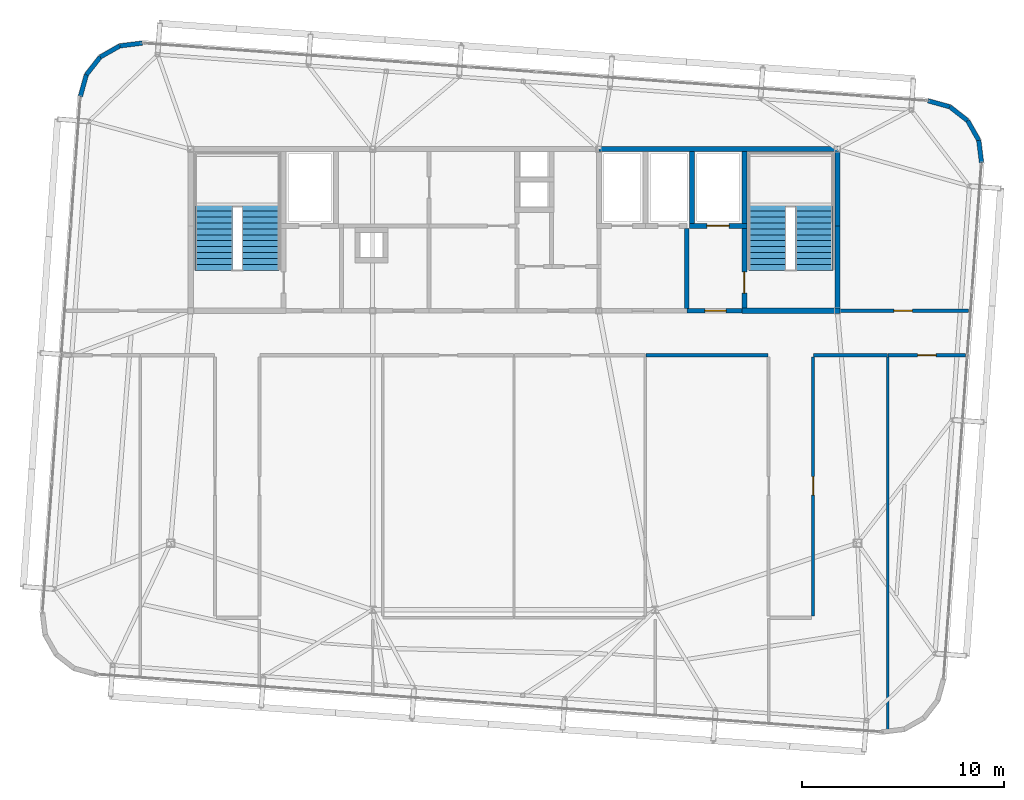
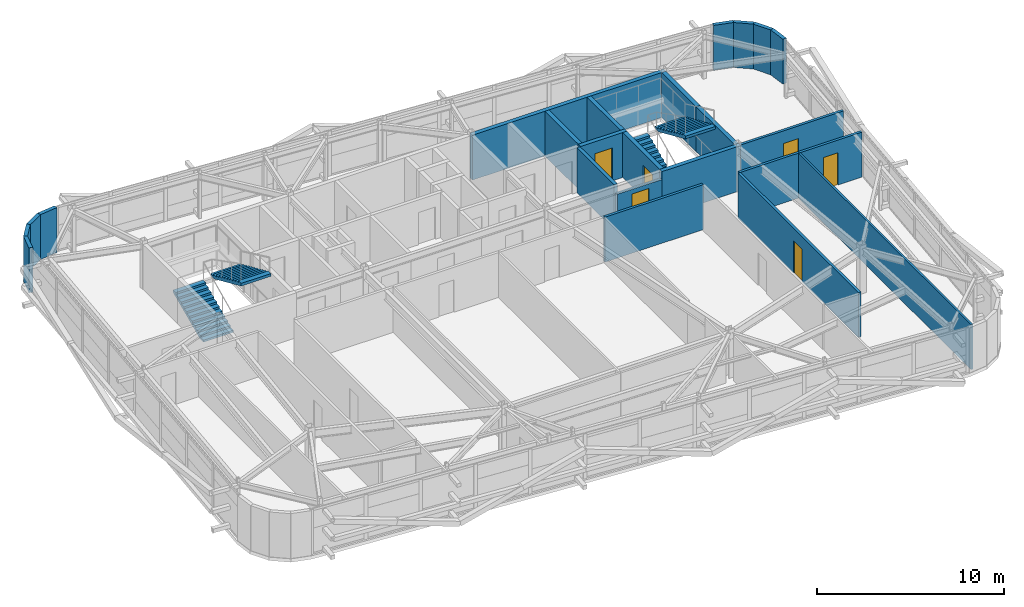
# One storey, part 40 of 42: 24 walls, 6 doors, 4 stair flights, 6 openings, 2 elements without a shape of their own.
"""IFC4 building model written with IfcOpenShell, lengths in metres."""

from ifc_helpers import new_model, si_unit, direction, frame, frame_2d, origin, place, context, subcontext, project, spatial, polyline, rectangle, outline, extrude, source, transform, mapped, material, layer, layer_set, type_object, element, fill, aggregate, save


model = new_model("IFC4")

# Units and contexts
model_context = context("Model", 3, precision=1e-05, world=origin(), true_north=direction((0.0, 1.0)))
body_context = subcontext(model_context, "Body", "Model", "MODEL_VIEW")
ifc_project = project(units=[si_unit("LENGTHUNIT", "METRE"), si_unit("AREAUNIT", "SQUARE_METRE"), si_unit("VOLUMEUNIT", "CUBIC_METRE"), si_unit("PLANEANGLEUNIT", "RADIAN"), si_unit("MASSUNIT", "GRAM", prefix="KILO")], contexts=[model_context])

# Site, building, storey
site_placement = place(None, origin())
site = spatial("IfcSite", under=ifc_project, at=site_placement, CompositionType="ELEMENT")
building_placement = place(site_placement, origin())
building = spatial("IfcBuilding", under=site, at=building_placement, Name="Taldren Reach Tower", CompositionType="ELEMENT")
storey_placement = place(building_placement, frame((0.0, 0.0, 214.550048828125)))
storey = spatial("IfcBuildingStorey", under=building, at=storey_placement, Name="L65", CompositionType="ELEMENT", Elevation=214.550048828125)

# Walls
ifc_material_1 = material(Name="Pale Champagne Anodised Aluminium Cladding", Category="aluminium")
ifc_layer_1 = layer(ifc_material_1, 0.04, Name="Pale Champagne Anodised Aluminium Cladding", Category="aluminium")
ifc_material_2 = material(Name="Mineral Wool Acoustic Insulation", Category="insulation")
ifc_layer_2 = layer(ifc_material_2, 0.06, Name="Mineral Wool Acoustic Insulation", Category="insulation")
ifc_material_3 = material(Name="Steel Gr 350 (C350L0)", Category="steel")
ifc_layer_3 = layer(ifc_material_3, 0.12, Name="Steel Gr 350 (C350L0)", Category="steel")
ifc_layer_set_1 = layer_set([ifc_layer_1, ifc_layer_2, ifc_layer_3], Name="Pale Champagne Aluminium Cladding and Steel Gr 350 Stud Framing")
wall_type_1 = type_object("IfcWallType", Name="EW-CRN-220", PredefinedType="SOLIDWALL", material=ifc_layer_set_1)
shared_shape_1 = source(origin(), body_context, "Body", "SweptSolid", [
    extrude(rectangle(XDim=1.115966796875, YDim=0.219970703125, at=frame_2d((0.55810546875, 0.0))), origin(), (0.0, 0.0, 1.0), 2.929931640625),
])
for number, where, z_axis, x_axis, name in (
    (1, (58.137451171875, 31.328125, 0.0), (0.0, 0.0, 1.0), (-0.122742076028, 0.992438604032, 0.0), "Rounded-corner pale-metal facade wall L65-NE1"),
    (2, (57.4501953125, 33.40625, 0.0), (0.0, 0.0, 1.0), (-0.788597772321, 0.614909386406, 0.0), "Rounded-corner pale-metal facade wall L65-NE3"),
    (3, (14.52099609375, 36.558837890625, 0.0), (0.0, 0.0, 1.0), (-0.614909386406, -0.788597772321, 0.0), "Rounded-corner pale-metal facade wall L65-NW3"),
):
    element("IfcWall", number, at=place(storey_placement, frame(where, z_axis=z_axis, x_axis=x_axis)), inside=storey, type_object=wall_type_1, Name=name, PredefinedType="SOLIDWALL", context=body_context, shape_type="MappedRepresentation", body=[
        mapped(shared_shape_1, transform((0.0, 0.0, 0.0), scale=1.0)),
    ])
shared_shape_2 = source(origin(), body_context, "Body", "SweptSolid", [
    extrude(rectangle(XDim=1.11572265625, YDim=0.219970703125, at=frame_2d((0.557861328125, 0.0))), origin(), (0.0, 0.0, 1.0), 2.929931640625),
])
for number, where, z_axis, x_axis, name in (
    (4, (58.00048828125, 32.435546875, 0.0), (0.0, 0.0, 1.0), (-0.493167138628, 0.869934579941, 0.0), "Rounded-corner pale-metal facade wall L65-NE2"),
    (5, (56.570068359375, 34.092529296875, 0.0), (0.0, 0.0, 1.0), (-0.963833843713, 0.266503886865, 0.0), "Rounded-corner pale-metal facade wall L65-NE4"),
    (6, (15.49169921875, 37.109130859375, 0.0), (0.0, 0.0, 1.0), (-0.869934579941, -0.493167138628, 0.0), "Rounded-corner pale-metal facade wall L65-NW2"),
    (7, (13.834716796875, 35.6787109375, 0.0), (0.0, 0.0, 1.0), (-0.266300605026, -0.963890028874, 0.0), "Rounded-corner pale-metal facade wall L65-NW4"),
):
    element("IfcWall", number, at=place(storey_placement, frame(where, z_axis=z_axis, x_axis=x_axis)), inside=storey, type_object=wall_type_1, Name=name, PredefinedType="SOLIDWALL", context=body_context, shape_type="MappedRepresentation", body=[
        mapped(shared_shape_2, transform((0.0, 0.0, 0.0), scale=1.0)),
    ])
shared_shape_3 = source(origin(), body_context, "Body", "SweptSolid", [
    extrude(rectangle(XDim=1.1162109375, YDim=0.219970703125, at=frame_2d((0.55810546875, 0.0))), origin(), (0.0, 0.0, 1.0), 2.929931640625),
])
wall_1_placement = place(storey_placement, frame((16.599365234375, 37.24609375, 0.0), z_axis=(0.0, 0.0, 1.0), x_axis=(-0.992441899189, -0.122715429897, 0.0)))
element("IfcWall", 8, at=wall_1_placement, inside=storey, type_object=wall_type_1, Name="Rounded-corner pale-metal facade wall L65-NW1", PredefinedType="SOLIDWALL", context=body_context, shape_type="MappedRepresentation", body=[
    mapped(shared_shape_3, transform((0.0, 0.0, 0.0), scale=1.0)),
])
ifc_material_4 = material(Name="Fire-Rated Acoustic Plasterboard Stud Wall", Category="gypsum")
ifc_layer_4 = layer(ifc_material_4, 0.159912109375)
ifc_layer_set_2 = layer_set([ifc_layer_4], Name="Fire-Rated Acoustic Plasterboard Stud Wall")
wall_type_2 = type_object("IfcWallType", Name="IW-FIRE-160", PredefinedType="PARTITIONING", material=ifc_layer_set_2)
shared_shape_4 = source(origin(), body_context, "Body", "SweptSolid", [
    extrude(rectangle(XDim=6.0595703125, YDim=0.159912109375, at=frame_2d((3.02978515625, 0.0))), origin(), (0.0, 0.0, 1.0), 2.929931640625),
])
wall_2_placement = place(storey_placement, frame((47.579833984375, 21.800048828125, 0.0), z_axis=(0.0, 0.0, 1.0), x_axis=(-1.0, 0.0, 0.0)))
element("IfcWall", 9, at=wall_2_placement, inside=storey, type_object=wall_type_2, Name="Interior Partition Wall W-INT-L65-056", PredefinedType="PARTITIONING", context=body_context, shape_type="MappedRepresentation", body=[
    mapped(shared_shape_4, transform((0.0, 0.0, 0.0), scale=1.0)),
])
ifc_material_5 = material(Name="Concrete S65 (65 MPa)", Category="concrete")
ifc_layer_5 = layer(ifc_material_5, 0.25)
ifc_layer_set_3 = layer_set([ifc_layer_5], Name="Concrete S65 (65 MPa)")
wall_type_3 = type_object("IfcWallType", Name="IW-CORE-250", PredefinedType="SHEAR", material=ifc_layer_set_3)
shared_shape_5 = source(origin(), body_context, "Body", "SweptSolid", [
    extrude(rectangle(XDim=11.925048828125, YDim=0.25, at=frame_2d((5.96240234375, 0.0))), origin(), (0.0, 0.0, 1.0), 2.929931640625),
])
wall_3_placement = place(storey_placement, frame((39.199951171875, 32.0, 0.0), z_axis=(0.0, 0.0, 1.0), x_axis=(1.0, 0.0, 0.0)))
element("IfcWall", 10, at=wall_3_placement, inside=storey, type_object=wall_type_3, Name="Rear Core Shear Wall W-CORE-L65-NORTH3", PredefinedType="SHEAR", context=body_context, shape_type="MappedRepresentation", body=[
    mapped(shared_shape_5, transform((0.0, 0.0, 0.0), scale=1.0)),
])
shared_shape_6 = source(origin(), body_context, "Body", "SweptSolid", [
    extrude(rectangle(XDim=4.074951171875, YDim=0.25, at=frame_2d((2.03759765625, 0.0))), origin(), (0.0, 0.0, 1.0), 2.929931640625),
])
wall_4_placement = place(storey_placement, frame((51.0, 24.125, 0.0), z_axis=(0.0, 0.0, 1.0), x_axis=(0.0, 1.0, 0.0)))
element("IfcWall", 11, at=wall_4_placement, inside=storey, type_object=wall_type_3, Name="Rear Core Shear Wall W-CORE-L65-EAST1", PredefinedType="SHEAR", context=body_context, shape_type="MappedRepresentation", body=[
    mapped(shared_shape_6, transform((0.0, 0.0, 0.0), scale=1.0)),
])
shared_shape_7 = source(origin(), body_context, "Body", "SweptSolid", [
    extrude(rectangle(XDim=3.675048828125, YDim=0.25, at=frame_2d((1.83740234375, 0.0))), origin(), (0.0, 0.0, 1.0), 2.929931640625),
])
wall_5_placement = place(storey_placement, frame((51.0, 28.199951171875, 0.0), z_axis=(0.0, 0.0, 1.0), x_axis=(0.0, 1.0, 0.0)))
element("IfcWall", 12, at=wall_5_placement, inside=storey, type_object=wall_type_3, Name="Rear Core Shear Wall W-CORE-L65-EAST2", PredefinedType="SHEAR", context=body_context, shape_type="MappedRepresentation", body=[
    mapped(shared_shape_7, transform((0.0, 0.0, 0.0), scale=1.0)),
])
shared_shape_8 = source(origin(), body_context, "Body", "SweptSolid", [
    extrude(rectangle(XDim=3.550048828125, YDim=0.25, at=frame_2d((1.77490234375, 0.0))), origin(), (0.0, 0.0, 1.0), 2.929931640625),
])
for number, where, z_axis, x_axis, name in (
    (13, (46.39990234375, 31.875, 0.0), (0.0, 0.0, 1.0), (0.0, -1.0, 0.0), "Rear Core Shear Wall W-INT-L65-008"),
    (14, (43.800048828125, 31.875, 0.0), (0.0, 0.0, 1.0), (0.0, -1.0, 0.0), "Rear Core Shear Wall W-INT-L65-012"),
):
    element("IfcWall", number, at=place(storey_placement, frame(where, z_axis=z_axis, x_axis=x_axis)), inside=storey, type_object=wall_type_3, Name=name, PredefinedType="SHEAR", context=body_context, shape_type="MappedRepresentation", body=[
        mapped(shared_shape_8, transform((0.0, 0.0, 0.0), scale=1.0)),
    ])

# Wall, opening, door
shared_shape_9 = source(origin(), body_context, "Body", "SweptSolid", [
    extrude(rectangle(XDim=3.949951171875, YDim=0.25, at=frame_2d((1.97509765625, 0.0))), origin(), (0.0, 0.0, 1.0), 2.929931640625),
])
wall_6_placement = place(storey_placement, frame((46.39990234375, 28.074951171875, 0.0), z_axis=(0.0, 0.0, 1.0), x_axis=(0.0, -1.0, 0.0)))
wall_6 = element("IfcWall", 15, at=wall_6_placement, inside=storey, type_object=wall_type_3, Name="Rear Core Shear Wall W-INT-L65-009", PredefinedType="SHEAR", context=body_context, shape_type="MappedRepresentation", body=[
    mapped(shared_shape_9, transform((0.0, 0.0, 0.0), scale=1.0)),
])
shared_shape_10 = source(origin(), body_context, "Body", "SweptSolid", [
    extrude(rectangle(XDim=1.050048828125, YDim=2.10009765625, at=frame_2d((0.52490234375, 1.050048828125))), frame((0.0, 0.135009765625, 0.0), z_axis=(0.0, -1.0, 0.0), x_axis=(1.0, 0.0, 0.0)), (0.0, 0.0, 1.0), 0.27001953125),
])
opening_1_placement = place(wall_6_placement, frame((2.14990234375, 0.0, 0.0)))
opening_1 = element("IfcOpeningElement", 16, at=opening_1_placement, cuts=wall_6, Name="Opening DF-105", PredefinedType="OPENING", context=body_context, shape_type="MappedRepresentation", body=[
    mapped(shared_shape_10, transform((0.0, 0.0, 0.0), scale=1.0)),
])
ifc_material_6 = material(Name="Fire-Rated Care and Stair Exit Door")
door_type_1 = type_object("IfcDoorType", Name="ID-FIRE-105", OperationType="NOTDEFINED", PredefinedType="DOOR", material=ifc_material_6)
shared_shape_11 = source(origin(), body_context, "Body", "SweptSolid", [
    extrude(rectangle(XDim=1.050048828125, YDim=2.10009765625, at=frame_2d((0.52490234375, 1.050048828125))), frame((0.0, 0.02490234375, 0.0), z_axis=(0.0, -1.0, 0.0), x_axis=(1.0, 0.0, 0.0)), (0.0, 0.0, 1.0), 0.050048828125),
])
door_1_placement = place(opening_1_placement, origin())
door_1 = element("IfcDoor", 17, at=door_1_placement, inside=storey, type_object=door_type_1, Name="Fire Exit Stair Door DR-L65-003", OperationType="SINGLE_SWING_RIGHT", OverallHeight=2.10009765625, OverallWidth=1.050048828125, PredefinedType="DOOR", context=body_context, shape_type="MappedRepresentation", body=[
    mapped(shared_shape_11, transform((0.0, 0.0, 0.0), scale=1.0)),
])
fill(opening_1, door_1)

# Wall
shared_shape_12 = source(origin(), body_context, "Body", "SweptSolid", [
    extrude(rectangle(XDim=4.85009765625, YDim=0.25, at=frame_2d((2.425048828125, 0.0))), origin(), (0.0, 0.0, 1.0), 2.929931640625),
])
wall_7_placement = place(storey_placement, frame((46.27490234375, 24.0, 0.0), z_axis=(0.0, 0.0, 1.0), x_axis=(1.0, 0.0, 0.0)))
element("IfcWall", 18, at=wall_7_placement, inside=storey, type_object=wall_type_3, Name="Rear Core Shear Wall W-INT-L65-010", PredefinedType="SHEAR", context=body_context, shape_type="MappedRepresentation", body=[
    mapped(shared_shape_12, transform((0.0, 0.0, 0.0), scale=1.0)),
])

# Wall, opening, door
shared_shape_13 = source(origin(), body_context, "Body", "SweptSolid", [
    extrude(rectangle(XDim=2.849853515625, YDim=0.25, at=frame_2d((1.4248046875, 0.0))), origin(), (0.0, 0.0, 1.0), 2.929931640625),
])
wall_8_placement = place(storey_placement, frame((43.675048828125, 28.199951171875, 0.0), z_axis=(0.0, 0.0, 1.0), x_axis=(1.0, 0.0, 0.0)))
wall_8 = element("IfcWall", 19, at=wall_8_placement, inside=storey, type_object=wall_type_3, Name="Rear Core Shear Wall W-INT-L65-011", PredefinedType="SHEAR", context=body_context, shape_type="MappedRepresentation", body=[
    mapped(shared_shape_13, transform((0.0, 0.0, 0.0), scale=1.0)),
])
shared_shape_14 = source(origin(), body_context, "Body", "SweptSolid", [
    extrude(rectangle(XDim=1.10009765625, YDim=2.14990234375, at=frame_2d((0.550048828125, 1.074951171875))), frame((0.0, 0.135009765625, 0.0), z_axis=(0.0, -1.0, 0.0), x_axis=(1.0, 0.0, 0.0)), (0.0, 0.0, 1.0), 0.27001953125),
])
opening_2_placement = place(wall_8_placement, frame((0.875, 0.0, 0.0)))
opening_2 = element("IfcOpeningElement", 20, at=opening_2_placement, cuts=wall_8, Name="Opening LD-FL2", PredefinedType="OPENING", context=body_context, shape_type="MappedRepresentation", body=[
    mapped(shared_shape_14, transform((0.0, 0.0, 0.0), scale=1.0)),
])
ifc_material_7 = material(Name="Stainless Steel Gr 316 Emergency Lift Landing Door", Category="steel")
door_type_2 = type_object("IfcDoorType", Name="LD-EMG-110", OperationType="SLIDING_TO_LEFT", PredefinedType="DOOR", material=ifc_material_7)
shared_shape_15 = source(origin(), body_context, "Body", "SweptSolid", [
    extrude(rectangle(XDim=1.10009765625, YDim=2.14990234375, at=frame_2d((0.550048828125, 1.074951171875))), frame((0.0, 0.02490234375, 0.0), z_axis=(0.0, -1.0, 0.0), x_axis=(1.0, 0.0, 0.0)), (0.0, 0.0, 1.0), 0.050048828125),
])
door_2_placement = place(opening_2_placement, origin())
door_2 = element("IfcDoor", 21, at=door_2_placement, inside=storey, type_object=door_type_2, Name="Lift Landing Door LD-FL2-L65", OperationType="SLIDING_TO_LEFT", OverallHeight=2.14990234375, OverallWidth=1.10009765625, PredefinedType="DOOR", context=body_context, shape_type="MappedRepresentation", body=[
    mapped(shared_shape_15, transform((0.0, 0.0, 0.0), scale=1.0)),
])
fill(opening_2, door_2)

# Wall
ifc_material_8 = material(Name="Concrete S50 (50 MPa)", Category="concrete")
ifc_layer_6 = layer(ifc_material_8, 0.199951171875)
ifc_layer_set_4 = layer_set([ifc_layer_6], Name="Concrete S50 (50 MPa)")
wall_type_4 = type_object("IfcWallType", Name="IW-CORE-200", PredefinedType="SOLIDWALL", material=ifc_layer_set_4)
shared_shape_16 = source(origin(), body_context, "Body", "SweptSolid", [
    extrude(rectangle(XDim=3.974853515625, YDim=0.199951171875, at=frame_2d((1.9873046875, 0.0))), origin(), (0.0, 0.0, 1.0), 2.929931640625),
])
wall_9_placement = place(storey_placement, frame((43.550048828125, 28.074951171875, 0.0), z_axis=(0.0, 0.0, 1.0), x_axis=(0.0, -1.0, 0.0)))
element("IfcWall", 22, at=wall_9_placement, inside=storey, type_object=wall_type_4, Name="Rear Core Shear Wall W-INT-L65-013", PredefinedType="SOLIDWALL", context=body_context, shape_type="MappedRepresentation", body=[
    mapped(shared_shape_16, transform((0.0, 0.0, 0.0), scale=1.0)),
])

# Wall, opening, door
shared_shape_17 = source(origin(), body_context, "Body", "SweptSolid", [
    extrude(rectangle(XDim=2.724853515625, YDim=0.199951171875, at=frame_2d((1.3623046875, 0.0))), origin(), (0.0, 0.0, 1.0), 2.39697265625),
])
wall_10_placement = place(storey_placement, frame((43.550048828125, 24.0, 0.0), z_axis=(0.0, 0.0, 1.0), x_axis=(1.0, 0.0, 0.0)))
wall_10 = element("IfcWall", 23, at=wall_10_placement, inside=storey, type_object=wall_type_4, Name="Rear Core Shear Wall W-INT-L65-014", PredefinedType="SOLIDWALL", context=body_context, shape_type="MappedRepresentation", body=[
    mapped(shared_shape_17, transform((0.0, 0.0, 0.0), scale=1.0)),
])
shared_shape_18 = source(origin(), body_context, "Body", "SweptSolid", [
    extrude(rectangle(XDim=1.050048828125, YDim=2.10009765625, at=frame_2d((0.52490234375, 1.050048828125))), frame((0.0, 0.10986328125, 0.0), z_axis=(0.0, -1.0, 0.0), x_axis=(1.0, 0.0, 0.0)), (0.0, 0.0, 1.0), 0.219970703125),
])
opening_3_placement = place(wall_10_placement, frame((0.89990234375, 0.0, 0.0)))
opening_3 = element("IfcOpeningElement", 24, at=opening_3_placement, cuts=wall_10, Name="Opening DF-105", PredefinedType="OPENING", context=body_context, shape_type="MappedRepresentation", body=[
    mapped(shared_shape_18, transform((0.0, 0.0, 0.0), scale=1.0)),
])
door_3_placement = place(opening_3_placement, origin())
door_3 = element("IfcDoor", 25, at=door_3_placement, inside=storey, type_object=door_type_1, Name="Interior Door DR-L65-004", OperationType="SINGLE_SWING_LEFT", OverallHeight=2.10009765625, OverallWidth=1.050048828125, PredefinedType="DOOR", context=body_context, shape_type="MappedRepresentation", body=[
    mapped(shared_shape_11, transform((0.0, 0.0, 0.0), scale=1.0)),
])
fill(opening_3, door_3)

shared_shape_19 = source(origin(), body_context, "Body", "SweptSolid", [
    extrude(rectangle(XDim=12.840087890625, YDim=0.159912109375, at=frame_2d((6.419921875, 0.0))), origin(), (0.0, 0.0, 1.0), 2.929931640625),
])
wall_11_placement = place(storey_placement, frame((49.800048828125, 21.719970703125, 0.0), z_axis=(0.0, 0.0, 1.0), x_axis=(0.0, -1.0, 0.0)))
wall_11 = element("IfcWall", 26, at=wall_11_placement, inside=storey, type_object=wall_type_2, Name="Interior Partition Wall W-INT-L65-057", PredefinedType="PARTITIONING", context=body_context, shape_type="MappedRepresentation", body=[
    mapped(shared_shape_19, transform((0.0, 0.0, 0.0), scale=1.0)),
])
shared_shape_20 = source(origin(), body_context, "Body", "SweptSolid", [
    extrude(rectangle(XDim=0.919921875, YDim=2.10009765625, at=frame_2d((0.4599609375, 1.050048828125))), frame((0.0, 0.08984375, 0.0), z_axis=(0.0, -1.0, 0.0), x_axis=(1.0, 0.0, 0.0)), (0.0, 0.0, 1.0), 0.179931640625),
])
opening_4_placement = place(wall_11_placement, frame((5.93017578125, 0.0, 0.0)))
opening_4 = element("IfcOpeningElement", 27, at=opening_4_placement, cuts=wall_11, Name="Opening DI-092", PredefinedType="OPENING", context=body_context, shape_type="MappedRepresentation", body=[
    mapped(shared_shape_20, transform((0.0, 0.0, 0.0), scale=1.0)),
])
ifc_material_9 = material(Name="Solid-Core Timber Suite Door", Category="wood")
door_type_3 = type_object("IfcDoorType", Name="ID-INT-092", OperationType="NOTDEFINED", PredefinedType="DOOR", material=ifc_material_9)
shared_shape_21 = source(origin(), body_context, "Body", "SweptSolid", [
    extrude(rectangle(XDim=0.919921875, YDim=2.10009765625, at=frame_2d((0.4599609375, 1.050048828125))), frame((0.0, 0.02490234375, 0.0), z_axis=(0.0, -1.0, 0.0), x_axis=(1.0, 0.0, 0.0)), (0.0, 0.0, 1.0), 0.050048828125),
])
door_4_placement = place(opening_4_placement, origin())
door_4 = element("IfcDoor", 28, at=door_4_placement, inside=storey, type_object=door_type_3, Name="Interior Door DR-L65-021", OperationType="SINGLE_SWING_RIGHT", OverallHeight=2.10009765625, OverallWidth=0.919921875, PredefinedType="DOOR", context=body_context, shape_type="MappedRepresentation", body=[
    mapped(shared_shape_21, transform((0.0, 0.0, 0.0), scale=1.0)),
])
fill(opening_4, door_4)

# Wall
shared_shape_22 = source(origin(), body_context, "Body", "SweptSolid", [
    extrude(rectangle(XDim=3.659423828125, YDim=0.159912109375, at=frame_2d((1.82958984375, 0.0))), origin(), (0.0, 0.0, 1.0), 2.929931640625),
])
wall_12_placement = place(storey_placement, frame((53.479736328125, 21.800048828125, 0.0), z_axis=(0.0, 0.0, 1.0), x_axis=(-1.0, 0.0, 0.0)))
element("IfcWall", 29, at=wall_12_placement, inside=storey, type_object=wall_type_2, Name="Interior Partition Wall W-INT-L65-058", PredefinedType="PARTITIONING", context=body_context, shape_type="MappedRepresentation", body=[
    mapped(shared_shape_22, transform((0.0, 0.0, 0.0), scale=1.0)),
])

# Wall, opening, door
shared_shape_23 = source(origin(), body_context, "Body", "SweptSolid", [
    extrude(rectangle(XDim=6.378173828125, YDim=0.159912109375, at=frame_2d((3.18896484375, 0.0))), origin(), (0.0, 0.0, 1.0), 2.929931640625),
])
wall_13_placement = place(storey_placement, frame((51.125, 24.0, 0.0), z_axis=(0.0, 0.0, 1.0), x_axis=(1.0, 0.0, 0.0)))
wall_13 = element("IfcWall", 30, at=wall_13_placement, inside=storey, type_object=wall_type_2, Name="Interior Partition Wall W-INT-L65-053", PredefinedType="PARTITIONING", context=body_context, shape_type="MappedRepresentation", body=[
    mapped(shared_shape_23, transform((0.0, 0.0, 0.0), scale=1.0)),
])
opening_5_placement = place(wall_13_placement, frame((2.6767578125, 0.0, 0.0)))
opening_5 = element("IfcOpeningElement", 31, at=opening_5_placement, cuts=wall_13, Name="Opening DI-092", PredefinedType="OPENING", context=body_context, shape_type="MappedRepresentation", body=[
    mapped(shared_shape_20, transform((0.0, 0.0, 0.0), scale=1.0)),
])
door_5_placement = place(opening_5_placement, origin())
door_5 = element("IfcDoor", 32, at=door_5_placement, inside=storey, type_object=door_type_3, Name="Interior Door DR-L65-018", OperationType="SINGLE_SWING_LEFT", OverallHeight=2.10009765625, OverallWidth=0.919921875, PredefinedType="DOOR", context=body_context, shape_type="MappedRepresentation", body=[
    mapped(shared_shape_21, transform((0.0, 0.0, 0.0), scale=1.0)),
])
fill(opening_5, door_5)

shared_shape_24 = source(origin(), body_context, "Body", "SweptSolid", [
    extrude(rectangle(XDim=3.8330078125, YDim=0.159912109375, at=frame_2d((1.91650390625, 0.0))), origin(), (0.0, 0.0, 1.0), 2.929931640625),
])
wall_14_placement = place(storey_placement, frame((57.353271484375, 21.800048828125, 0.0), z_axis=(0.0, 0.0, 1.0), x_axis=(-1.0, 0.0, 0.0)))
wall_14 = element("IfcWall", 33, at=wall_14_placement, inside=storey, type_object=wall_type_2, Name="Interior Partition Wall W-INT-L65-060", PredefinedType="PARTITIONING", context=body_context, shape_type="MappedRepresentation", body=[
    mapped(shared_shape_24, transform((0.0, 0.0, 0.0), scale=1.0)),
])
opening_6_placement = place(wall_14_placement, frame((1.45654296875, 0.0, 0.0)))
opening_6 = element("IfcOpeningElement", 34, at=opening_6_placement, cuts=wall_14, Name="Opening DI-092", PredefinedType="OPENING", context=body_context, shape_type="MappedRepresentation", body=[
    mapped(shared_shape_20, transform((0.0, 0.0, 0.0), scale=1.0)),
])
door_6_placement = place(opening_6_placement, origin())
door_6 = element("IfcDoor", 35, at=door_6_placement, inside=storey, type_object=door_type_3, Name="Interior Door DR-L65-022", OperationType="SINGLE_SWING_LEFT", OverallHeight=2.10009765625, OverallWidth=0.919921875, PredefinedType="DOOR", context=body_context, shape_type="MappedRepresentation", body=[
    mapped(shared_shape_21, transform((0.0, 0.0, 0.0), scale=1.0)),
])
fill(opening_6, door_6)

# Wall
ifc_material_10 = material(Name="Insulated Residential Stud Partition", Category="gypsum")
ifc_layer_7 = layer(ifc_material_10, 0.1201171875)
ifc_layer_set_5 = layer_set([ifc_layer_7], Name="Insulated Residential Stud Partition")
wall_type_5 = type_object("IfcWallType", Name="IW-PART-120", PredefinedType="PARTITIONING", material=ifc_layer_set_5)
shared_shape_25 = source(origin(), body_context, "Body", "SweptSolid", [
    extrude(rectangle(XDim=18.445556640625, YDim=0.1201171875, at=frame_2d((9.22265625, 0.0))), origin(), (0.0, 0.0, 1.0), 2.929931640625),
])
wall_15_placement = place(storey_placement, frame((53.5, 21.719970703125, 0.0), z_axis=(0.0, 0.0, 1.0), x_axis=(0.0, -1.0, 0.0)))
element("IfcWall", 36, at=wall_15_placement, inside=storey, type_object=wall_type_5, Name="Interior Partition Wall W-INT-L65-071", PredefinedType="PARTITIONING", context=body_context, shape_type="MappedRepresentation", body=[
    mapped(shared_shape_25, transform((0.0, 0.0, 0.0), scale=1.0)),
])

# Stair, stair flights
stair_type = type_object("IfcStairType", Name="ST-HT-315", PredefinedType="HALF_TURN_STAIR", material=ifc_material_8)
stair_1_placement = place(storey_placement, origin())
stair_1 = element("IfcStair", 37, at=stair_1_placement, inside=storey, type_object=stair_type, Name="Fire-isolated exit stair ST1 L65", PredefinedType="HALF_TURN_STAIR")
stair_flight_type = type_object("IfcStairFlightType", Name="SF-STR-315", PredefinedType="STRAIGHT", material=ifc_material_8)
stair_flight_1_placement = place(storey_placement, frame((20.139892578125, 25.989990234375, 0.0), z_axis=(0.0, 0.0, 1.0), x_axis=(0.0, 1.0, 0.0)))
stair_flight_1 = element("IfcStairFlight", 38, at=stair_flight_1_placement, type_object=stair_flight_type, Name="ST1 flight 1", NumberOfRisers=12, NumberOfTreads=11, PredefinedType="STRAIGHT", RiserHeight=0.13125, TreadLength=0.295, context=body_context, shape_type="SweptSolid", body=[
    extrude(outline(polyline([(0.0, 0.0), (0.0, 0.13134765625), (0.294921875, 0.13134765625), (0.294921875, 0.262451171875), (0.590087890625, 0.262451171875), (0.590087890625, 0.393798828125), (0.885009765625, 0.393798828125), (0.885009765625, 0.52490234375), (1.179931640625, 0.52490234375), (1.179931640625, 0.65625), (1.47509765625, 0.65625), (1.47509765625, 0.78759765625), (1.77001953125, 0.78759765625), (1.77001953125, 0.918701171875), (2.06494140625, 0.918701171875), (2.06494140625, 1.050048828125), (2.360107421875, 1.050048828125), (2.360107421875, 1.18115234375), (2.655029296875, 1.18115234375), (2.655029296875, 1.3125), (2.949951171875, 1.3125), (2.949951171875, 1.44384765625), (3.2451171875, 1.44384765625), (3.2451171875, 1.574951171875), (3.2451171875, 1.268798828125), (0.393310546875, 0.0), (0.0, 0.0)])), frame((0.0, 0.919921875, 0.0), z_axis=(0.0, -1.0, 0.0), x_axis=(1.0, 0.0, 0.0)), (0.0, 0.0, 1.0), 1.840087890625),
])
stair_flight_2_placement = place(storey_placement, frame((22.4599609375, 29.235107421875, 1.574951171875), z_axis=(0.0, 0.0, 1.0), x_axis=(0.0, -1.0, 0.0)))
stair_flight_2 = element("IfcStairFlight", 39, at=stair_flight_2_placement, type_object=stair_flight_type, Name="ST1 flight 2", NumberOfRisers=12, NumberOfTreads=11, PredefinedType="STRAIGHT", RiserHeight=0.13125, TreadLength=0.295, context=body_context, shape_type="SweptSolid", body=[
    extrude(outline(polyline([(0.0, 0.0), (0.0, 0.13134765625), (0.294921875, 0.13134765625), (0.294921875, 0.262451171875), (0.590087890625, 0.262451171875), (0.590087890625, 0.393798828125), (0.885009765625, 0.393798828125), (0.885009765625, 0.52490234375), (1.179931640625, 0.52490234375), (1.179931640625, 0.65625), (1.47509765625, 0.65625), (1.47509765625, 0.78759765625), (1.77001953125, 0.78759765625), (1.77001953125, 0.918701171875), (2.06494140625, 0.918701171875), (2.06494140625, 1.050048828125), (2.360107421875, 1.050048828125), (2.360107421875, 1.18115234375), (2.655029296875, 1.18115234375), (2.655029296875, 1.3125), (2.949951171875, 1.3125), (2.949951171875, 1.44384765625), (3.2451171875, 1.44384765625), (3.2451171875, 1.574951171875), (3.2451171875, 1.268798828125), (0.393310546875, 0.0), (0.0, 0.0)])), frame((0.0, 0.919921875, 0.0), z_axis=(0.0, -1.0, 0.0), x_axis=(1.0, 0.0, 0.0)), (0.0, 0.0, 1.0), 1.840087890625),
])
aggregate(stair_1, [stair_flight_1, stair_flight_2])

stair_2_placement = place(storey_placement, origin())
stair_2 = element("IfcStair", 40, at=stair_2_placement, inside=storey, type_object=stair_type, Name="Fire-isolated exit stair ST2 L65", PredefinedType="HALF_TURN_STAIR")
stair_flight_3_placement = place(storey_placement, frame((47.5400390625, 25.989990234375, 0.0), z_axis=(0.0, 0.0, 1.0), x_axis=(0.0, 1.0, 0.0)))
stair_flight_3 = element("IfcStairFlight", 41, at=stair_flight_3_placement, type_object=stair_flight_type, Name="ST2 flight 1", NumberOfRisers=12, NumberOfTreads=11, PredefinedType="STRAIGHT", RiserHeight=0.13125, TreadLength=0.295, context=body_context, shape_type="SweptSolid", body=[
    extrude(outline(polyline([(0.0, 0.0), (0.0, 0.13134765625), (0.294921875, 0.13134765625), (0.294921875, 0.262451171875), (0.590087890625, 0.262451171875), (0.590087890625, 0.393798828125), (0.885009765625, 0.393798828125), (0.885009765625, 0.52490234375), (1.179931640625, 0.52490234375), (1.179931640625, 0.65625), (1.47509765625, 0.65625), (1.47509765625, 0.78759765625), (1.77001953125, 0.78759765625), (1.77001953125, 0.918701171875), (2.06494140625, 0.918701171875), (2.06494140625, 1.050048828125), (2.360107421875, 1.050048828125), (2.360107421875, 1.18115234375), (2.655029296875, 1.18115234375), (2.655029296875, 1.3125), (2.949951171875, 1.3125), (2.949951171875, 1.44384765625), (3.2451171875, 1.44384765625), (3.2451171875, 1.574951171875), (3.2451171875, 1.268798828125), (0.393310546875, 0.0), (0.0, 0.0)])), frame((0.0, 0.919921875, 0.0), z_axis=(0.0, -1.0, 0.0), x_axis=(1.0, 0.0, 0.0)), (0.0, 0.0, 1.0), 1.840087890625),
])
stair_flight_4_placement = place(storey_placement, frame((49.860107421875, 29.235107421875, 1.574951171875), z_axis=(0.0, 0.0, 1.0), x_axis=(0.0, -1.0, 0.0)))
stair_flight_4 = element("IfcStairFlight", 42, at=stair_flight_4_placement, type_object=stair_flight_type, Name="ST2 flight 2", NumberOfRisers=12, NumberOfTreads=11, PredefinedType="STRAIGHT", RiserHeight=0.13125, TreadLength=0.295, context=body_context, shape_type="SweptSolid", body=[
    extrude(outline(polyline([(0.0, 0.0), (0.0, 0.13134765625), (0.294921875, 0.13134765625), (0.294921875, 0.262451171875), (0.590087890625, 0.262451171875), (0.590087890625, 0.393798828125), (0.885009765625, 0.393798828125), (0.885009765625, 0.52490234375), (1.179931640625, 0.52490234375), (1.179931640625, 0.65625), (1.47509765625, 0.65625), (1.47509765625, 0.78759765625), (1.77001953125, 0.78759765625), (1.77001953125, 0.918701171875), (2.06494140625, 0.918701171875), (2.06494140625, 1.050048828125), (2.360107421875, 1.050048828125), (2.360107421875, 1.18115234375), (2.655029296875, 1.18115234375), (2.655029296875, 1.3125), (2.949951171875, 1.3125), (2.949951171875, 1.44384765625), (3.2451171875, 1.44384765625), (3.2451171875, 1.574951171875), (3.2451171875, 1.268798828125), (0.393310546875, 0.0), (0.0, 0.0)])), frame((0.0, 0.919921875, 0.0), z_axis=(0.0, -1.0, 0.0), x_axis=(1.0, 0.0, 0.0)), (0.0, 0.0, 1.0), 1.840087890625),
])
aggregate(stair_2, [stair_flight_3, stair_flight_4])

save(model, "model.ifc")
